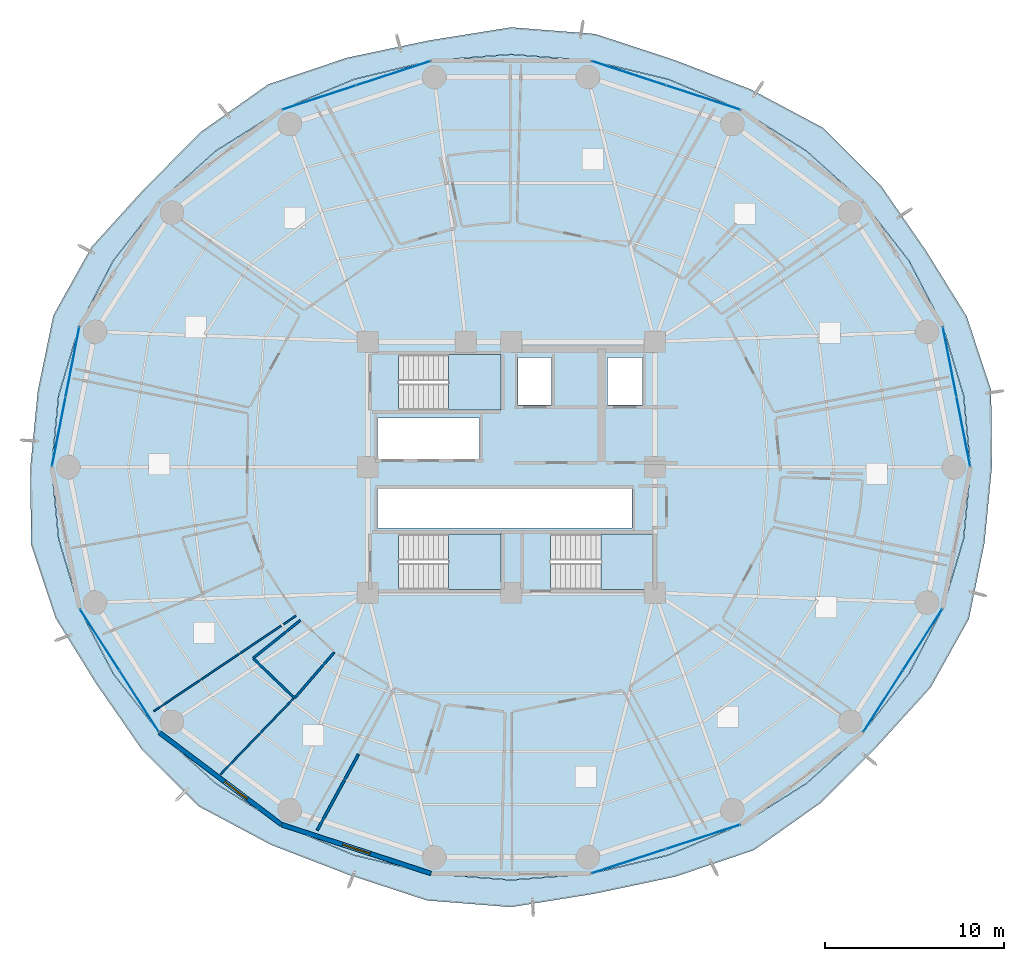
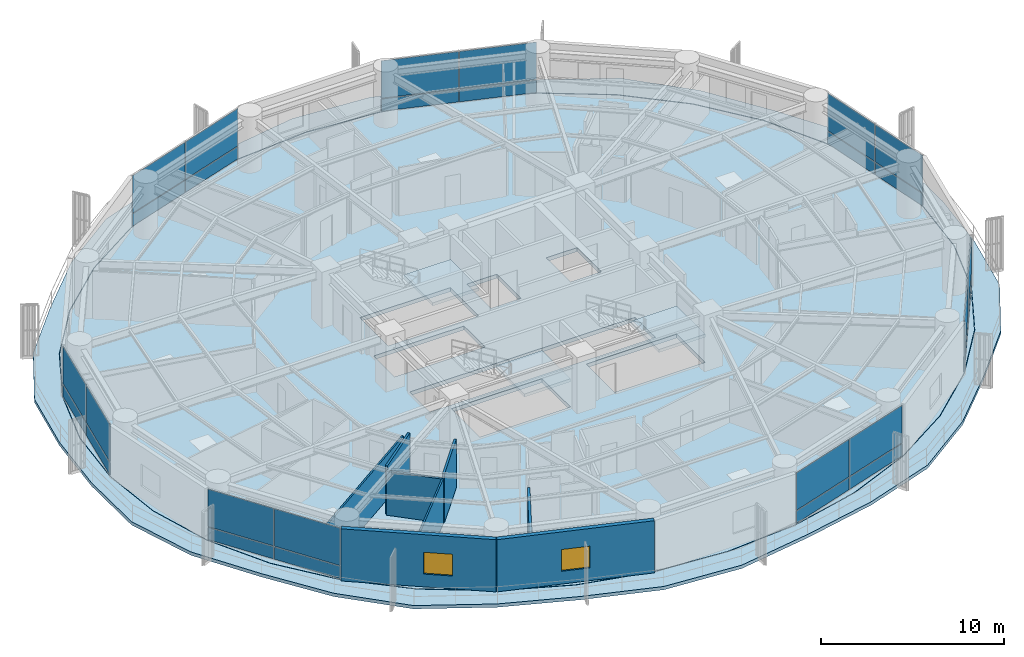
# One storey, part 28 of 35: 28 plates, 8 walls, 5 slabs, 2 windows, 2 openings, 10 elements without a shape of their own.
"""IFC4 building model written with IfcOpenShell, lengths in metres."""

from ifc_helpers import new_model, si_unit, direction, frame, frame_2d, origin, origin_2d, place, context, subcontext, project, spatial, polyline, rectangle, outline, extrude, source, transform, mapped, material, layer, layer_set, type_object, element, fill, aggregate, save


model = new_model("IFC4")

# Units and contexts
model_context = context("Model", 3, precision=1e-05, world=origin(), true_north=direction((0.0, 1.0)))
body_context = subcontext(model_context, "Body", "Model", "MODEL_VIEW")
ifc_project = project(units=[si_unit("LENGTHUNIT", "METRE"), si_unit("AREAUNIT", "SQUARE_METRE"), si_unit("VOLUMEUNIT", "CUBIC_METRE"), si_unit("PLANEANGLEUNIT", "RADIAN"), si_unit("MASSUNIT", "GRAM", prefix="KILO")], contexts=[model_context])

# Site, building, storey
site_placement = place(None, origin())
site = spatial("IfcSite", under=ifc_project, at=site_placement, CompositionType="ELEMENT")
building_placement = place(site_placement, origin())
building = spatial("IfcBuilding", under=site, at=building_placement, Name="Kelanora Arch Commons", CompositionType="ELEMENT")
storey_placement = place(building_placement, frame((0.0, 0.0, 117.60009765625)))
storey = spatial("IfcBuildingStorey", under=building, at=storey_placement, Name="L30", CompositionType="ELEMENT", Elevation=117.60009765625)

# Stair, slab
ifc_material_1 = material(Name="Concrete C40/50", Category="concrete")
stair_type = type_object("IfcStairType", Name="STR-DL-375", PredefinedType="HALF_TURN_STAIR", material=ifc_material_1)
stair_1_placement = place(storey_placement, origin())
stair_1 = element("IfcStair", 1, at=stair_1_placement, inside=storey, type_object=stair_type, Name="L30 ST-T1", PredefinedType="HALF_TURN_STAIR")
ifc_layer_1 = layer(ifc_material_1, 0.199951171875)
ifc_layer_set_1 = layer_set([ifc_layer_1], Name="Concrete C40/50")
slab_type_1 = type_object("IfcSlabType", Name="SLB-STAIR-LND", PredefinedType="LANDING", material=ifc_layer_set_1)
slab_1_placement = place(storey_placement, frame((0.0, 0.0, 1.6748046875)))
slab_1 = element("IfcSlab", 2, at=slab_1_placement, type_object=slab_type_1, Name="ST-T1 landing 1", PredefinedType="LANDING", context=body_context, shape_type="SweptSolid", body=[
    extrude(outline(polyline([(70.52001953125, 61.179931640625), (73.43994140625, 61.179931640625), (73.43994140625, 64.2900390625), (70.52001953125, 64.2900390625), (70.52001953125, 61.179931640625)])), origin(), (0.0, 0.0, 1.0), 0.2001953125),
])
aggregate(stair_1, [slab_1])

stair_2_placement = place(storey_placement, origin())
stair_2 = element("IfcStair", 3, at=stair_2_placement, inside=storey, type_object=stair_type, Name="L30 ST-T2", PredefinedType="HALF_TURN_STAIR")
slab_2_placement = place(storey_placement, frame((0.0, 0.0, 1.6748046875)))
slab_2 = element("IfcSlab", 4, at=slab_2_placement, type_object=slab_type_1, Name="ST-T2 landing 1", PredefinedType="LANDING", context=body_context, shape_type="SweptSolid", body=[
    extrude(outline(polyline([(79.0, 51.179931640625), (81.919921875, 51.179931640625), (81.919921875, 54.2900390625), (79.0, 54.2900390625), (79.0, 51.179931640625)])), origin(), (0.0, 0.0, 1.0), 0.2001953125),
])
aggregate(stair_2, [slab_2])

stair_3_placement = place(storey_placement, origin())
stair_3 = element("IfcStair", 5, at=stair_3_placement, inside=storey, type_object=stair_type, Name="L30 ST-T3", PredefinedType="HALF_TURN_STAIR")
slab_3_placement = place(storey_placement, frame((0.0, 0.0, 1.6748046875)))
slab_3 = element("IfcSlab", 6, at=slab_3_placement, type_object=slab_type_1, Name="ST-T3 landing 1", PredefinedType="LANDING", context=body_context, shape_type="SweptSolid", body=[
    extrude(outline(polyline([(70.52001953125, 51.179931640625), (73.43994140625, 51.179931640625), (73.43994140625, 54.2900390625), (70.52001953125, 54.2900390625), (70.52001953125, 51.179931640625)])), origin(), (0.0, 0.0, 1.0), 0.2001953125),
])
aggregate(stair_3, [slab_3])

# Slabs
ifc_layer_2 = layer(ifc_material_1, 0.260009765625)
ifc_layer_set_2 = layer_set([ifc_layer_2], Name="Concrete C40/50")
slab_type_2 = type_object("IfcSlabType", Name="SLB-TWR-TYP", PredefinedType="FLOOR", material=ifc_layer_set_2)
slab_4_placement = place(storey_placement, frame((0.0, 0.0, -0.260009765625)))
element("IfcSlab", 7, at=slab_4_placement, inside=storey, type_object=slab_type_2, Name="Tower Floor Slab L30", PredefinedType="FLOOR", context=body_context, shape_type="SweptSolid", body=[
    extrude(outline(polyline([(99.60009765625, 58.0), (99.211181640625, 61.993896484375), (98.05615234375, 65.866455078125), (96.17041015625, 69.5), (93.610595703125, 72.7841796875), (90.455322265625, 75.618896484375), (86.800048828125, 77.918701171875), (82.755615234375, 79.61279296875), (78.4453125, 80.650634765625), (74.0, 81.0), (69.5546875, 80.650634765625), (65.244384765625, 79.61279296875), (61.199951171875, 77.918701171875), (57.544677734375, 75.618896484375), (54.389404296875, 72.7841796875), (51.82958984375, 69.5), (49.94384765625, 65.866455078125), (48.788818359375, 61.993896484375), (48.39990234375, 58.0), (48.788818359375, 54.006103515625), (49.94384765625, 50.133544921875), (51.82958984375, 46.5), (54.389404296875, 43.2158203125), (57.544677734375, 40.381103515625), (61.199951171875, 38.081298828125), (65.244384765625, 36.38720703125), (69.5546875, 35.349365234375), (74.0, 35.0), (78.4453125, 35.349365234375), (82.755615234375, 36.38720703125), (86.800048828125, 38.081298828125), (90.455322265625, 40.381103515625), (93.610595703125, 43.2158203125), (96.17041015625, 46.5), (98.05615234375, 50.133544921875), (99.211181640625, 54.006103515625), (99.60009765625, 58.0)]), holes=[polyline([(73.431884765625, 51.18798828125), (67.72802734375, 51.18798828125), (67.72802734375, 54.281982421875), (73.431884765625, 54.281982421875), (73.431884765625, 51.18798828125)]), polyline([(76.2080078125, 51.18798828125), (76.2080078125, 54.281982421875), (81.912109375, 54.281982421875), (81.912109375, 51.18798828125), (76.2080078125, 51.18798828125)]), polyline([(66.550048828125, 54.60009765625), (66.550048828125, 56.800048828125), (80.75, 56.800048828125), (80.75, 54.60009765625), (66.550048828125, 54.60009765625)]), polyline([(66.550048828125, 58.449951171875), (66.550048828125, 60.75), (72.25, 60.75), (72.25, 58.449951171875), (66.550048828125, 58.449951171875)]), polyline([(67.72802734375, 61.18798828125), (67.72802734375, 64.281982421875), (73.431884765625, 64.281982421875), (73.431884765625, 61.18798828125), (67.72802734375, 61.18798828125)]), polyline([(74.3798828125, 61.47998046875), (74.3798828125, 64.1201171875), (76.260009765625, 64.1201171875), (76.260009765625, 61.47998046875), (74.3798828125, 61.47998046875)]), polyline([(79.3798828125, 61.47998046875), (79.3798828125, 64.1201171875), (81.320068359375, 64.1201171875), (81.320068359375, 61.47998046875), (79.3798828125, 61.47998046875)])]), origin(), (0.0, 0.0, 1.0), 0.260009765625),
])
ifc_layer_3 = layer(ifc_material_1, 0.219970703125)
ifc_layer_set_3 = layer_set([ifc_layer_3], Name="Concrete C40/50")
slab_type_3 = type_object("IfcSlabType", Name="SLB-WAVE-BAL", PredefinedType="FLOOR", material=ifc_layer_set_3)
slab_5_placement = place(storey_placement, frame((0.0, 0.0, -0.22021484375)))
element("IfcSlab", 8, at=slab_5_placement, inside=storey, type_object=slab_type_3, Name="Sinusoidal Wave Balcony Slab L30", PredefinedType="FLOOR", context=body_context, shape_type="SweptSolid", body=[
    extrude(outline(polyline([(100.79541015625, 58.0), (100.75439453125, 62.296875), (99.392333984375, 66.40771484375), (97.10400390625, 70.10009765625), (94.601806640625, 73.709716796875), (91.419921875, 76.8984375), (87.385009765625, 79.04638671875), (83.10986328125, 80.696044921875), (78.6826171875, 82.148681640625), (74.0, 82.516845703125), (69.376220703125, 81.776123046875), (64.849365234375, 80.820556640625), (60.462158203125, 79.341064453125), (56.728271484375, 76.701904296875), (53.578125, 73.541748046875), (50.616943359375, 70.279296875), (48.486328125, 66.45703125), (47.61572265625, 62.22412109375), (47.20458984375, 58.0), (47.24560546875, 53.703125), (48.607666015625, 49.59228515625), (50.89599609375, 45.89990234375), (53.398193359375, 42.290283203125), (56.580078125, 39.1015625), (60.614990234375, 36.95361328125), (64.89013671875, 35.303955078125), (69.3173828125, 33.851318359375), (74.0, 33.483154296875), (78.623779296875, 34.223876953125), (83.150634765625, 35.179443359375), (87.537841796875, 36.658935546875), (91.271728515625, 39.298095703125), (94.421875, 42.458251953125), (97.383056640625, 45.720703125), (99.513671875, 49.54296875), (100.38427734375, 53.77587890625), (100.79541015625, 58.0)]), holes=[polyline([(99.230712890625, 54.002685546875), (98.074951171875, 50.126708984375), (96.1875, 46.489990234375), (93.626220703125, 43.202880859375), (90.46826171875, 40.36572265625), (86.81005859375, 38.064208984375), (82.7626953125, 36.368408203125), (78.448974609375, 35.32958984375), (74.0, 34.97998046875), (69.551025390625, 35.32958984375), (65.2373046875, 36.368408203125), (61.18994140625, 38.064208984375), (57.53173828125, 40.36572265625), (54.373779296875, 43.202880859375), (51.8125, 46.489990234375), (49.925048828125, 50.126708984375), (48.769287109375, 54.002685546875), (48.3798828125, 58.0), (48.769287109375, 61.997314453125), (49.925048828125, 65.873291015625), (51.8125, 69.510009765625), (54.373779296875, 72.797119140625), (57.53173828125, 75.63427734375), (61.18994140625, 77.935791015625), (65.2373046875, 79.631591796875), (69.551025390625, 80.67041015625), (74.0, 81.02001953125), (78.448974609375, 80.67041015625), (82.7626953125, 79.631591796875), (86.81005859375, 77.935791015625), (90.46826171875, 75.63427734375), (93.626220703125, 72.797119140625), (96.1875, 69.510009765625), (98.074951171875, 65.873291015625), (99.230712890625, 61.997314453125), (99.6201171875, 58.0), (99.230712890625, 54.002685546875)])]), origin(), (0.0, 0.0, 1.0), 0.22021484375),
])

# Curtain wall, plates
ifc_material_2 = material(Name="Terracotta ceramic-fritted low-E glass and aluminium", Category="masonry")
ifc_layer_4 = layer(ifc_material_2, 0.159912109375)
ifc_layer_set_4 = layer_set([ifc_layer_4], Name="Terracotta ceramic-fritted low-E glass and aluminium")
curtain_wall_type = type_object("IfcCurtainWallType", Name="CW-SYS-01", PredefinedType="NOTDEFINED", material=ifc_layer_set_4)
curtain_wall_1_placement = place(storey_placement, origin())
curtain_wall_1 = element("IfcCurtainWall", 9, at=curtain_wall_1_placement, inside=storey, type_object=curtain_wall_type, Name="Unitised Curtain Wall L30-B00", PredefinedType="NOTDEFINED")
ifc_material_3 = material(Name="Terracotta ceramic-fritted double glazing", Category="masonry")
ifc_layer_5 = layer(ifc_material_3, 0.028076171875)
ifc_layer_set_5 = layer_set([ifc_layer_5], Name="Terracotta ceramic-fritted double glazing")
plate_type = type_object("IfcPlateType", Name="CWP-FRIT", PredefinedType="CURTAIN_PANEL", material=ifc_layer_set_5)
shared_shape_1 = source(origin(), body_context, "Body", "SweptSolid", [
    extrude(rectangle(XDim=3.9033203125, YDim=0.028076171875, at=origin_2d()), origin(), (0.0, 0.0, 1.0), 0.81005859375),
])
plate_1_placement = place(storey_placement, frame((99.209716796875, 59.98876953125, 0.059814453125), z_axis=(0.0, 0.0, 1.0), x_axis=(-0.192584916272, 0.981280311646, 0.0)))
plate_1 = element("IfcPlate", 10, at=plate_1_placement, type_object=plate_type, Name="CW-01 panel 1.1", PredefinedType="CURTAIN_PANEL", context=body_context, shape_type="MappedRepresentation", body=[
    mapped(shared_shape_1, transform((0.0, 0.0, 0.0), scale=1.0)),
])
plate_2_placement = place(storey_placement, frame((98.446533203125, 63.877685546875, 0.059814453125), z_axis=(0.0, 0.0, 1.0), x_axis=(-0.192584916272, 0.981280311646, 0.0)))
plate_2 = element("IfcPlate", 11, at=plate_2_placement, type_object=plate_type, Name="CW-01 panel 2.1", PredefinedType="CURTAIN_PANEL", context=body_context, shape_type="MappedRepresentation", body=[
    mapped(shared_shape_1, transform((0.0, 0.0, 0.0), scale=1.0)),
])

curtain_wall_2_placement = place(storey_placement, origin())
curtain_wall_2 = element("IfcCurtainWall", 12, at=curtain_wall_2_placement, inside=storey, type_object=curtain_wall_type, Name="Unitised Curtain Wall L30-B08", PredefinedType="NOTDEFINED")
plate_3_placement = place(storey_placement, frame((49.553466796875, 63.877685546875, 0.059814453125), z_axis=(0.0, 0.0, 1.0), x_axis=(-0.192584916272, -0.981280311646, 0.0)))
plate_3 = element("IfcPlate", 13, at=plate_3_placement, type_object=plate_type, Name="CW-01 panel 1.1", PredefinedType="CURTAIN_PANEL", context=body_context, shape_type="MappedRepresentation", body=[
    mapped(shared_shape_1, transform((0.0, 0.0, 0.0), scale=1.0)),
])
plate_4_placement = place(storey_placement, frame((48.790283203125, 59.98876953125, 0.059814453125), z_axis=(0.0, 0.0, 1.0), x_axis=(-0.192584916272, -0.981280311646, 0.0)))
plate_4 = element("IfcPlate", 14, at=plate_4_placement, type_object=plate_type, Name="CW-01 panel 2.1", PredefinedType="CURTAIN_PANEL", context=body_context, shape_type="MappedRepresentation", body=[
    mapped(shared_shape_1, transform((0.0, 0.0, 0.0), scale=1.0)),
])

# Plate
shared_shape_2 = source(origin(), body_context, "Body", "SweptSolid", [
    extrude(rectangle(XDim=3.9033203125, YDim=0.028076171875, at=origin_2d()), origin(), (0.0, 0.0, 1.0), 2.485107421875),
])
plate_5_placement = place(storey_placement, frame((99.209716796875, 59.98876953125, 0.9296875), z_axis=(0.0, 0.0, 1.0), x_axis=(-0.192584916272, 0.981280311646, 0.0)))
plate_5 = element("IfcPlate", 15, at=plate_5_placement, type_object=plate_type, Name="CW-01 panel 1.2", PredefinedType="CURTAIN_PANEL", context=body_context, shape_type="MappedRepresentation", body=[
    mapped(shared_shape_2, transform((0.0, 0.0, 0.0), scale=1.0)),
])

plate_6_placement = place(storey_placement, frame((98.446533203125, 63.877685546875, 0.9296875), z_axis=(0.0, 0.0, 1.0), x_axis=(-0.192584916272, 0.981280311646, 0.0)))
plate_6 = element("IfcPlate", 16, at=plate_6_placement, type_object=plate_type, Name="CW-01 panel 2.2", PredefinedType="CURTAIN_PANEL", context=body_context, shape_type="MappedRepresentation", body=[
    mapped(shared_shape_2, transform((0.0, 0.0, 0.0), scale=1.0)),
])

aggregate(curtain_wall_1, [plate_1, plate_5, plate_2, plate_6])

plate_7_placement = place(storey_placement, frame((49.553466796875, 63.877685546875, 0.9296875), z_axis=(0.0, 0.0, 1.0), x_axis=(-0.192584916272, -0.981280311646, 0.0)))
plate_7 = element("IfcPlate", 17, at=plate_7_placement, type_object=plate_type, Name="CW-01 panel 1.2", PredefinedType="CURTAIN_PANEL", context=body_context, shape_type="MappedRepresentation", body=[
    mapped(shared_shape_2, transform((0.0, 0.0, 0.0), scale=1.0)),
])

plate_8_placement = place(storey_placement, frame((48.790283203125, 59.98876953125, 0.9296875), z_axis=(0.0, 0.0, 1.0), x_axis=(-0.192584916272, -0.981280311646, 0.0)))
plate_8 = element("IfcPlate", 18, at=plate_8_placement, type_object=plate_type, Name="CW-01 panel 2.2", PredefinedType="CURTAIN_PANEL", context=body_context, shape_type="MappedRepresentation", body=[
    mapped(shared_shape_2, transform((0.0, 0.0, 0.0), scale=1.0)),
])

aggregate(curtain_wall_2, [plate_3, plate_7, plate_4, plate_8])

# Curtain wall, plates
curtain_wall_3_placement = place(storey_placement, origin())
curtain_wall_3 = element("IfcCurtainWall", 19, at=curtain_wall_3_placement, inside=storey, type_object=curtain_wall_type, Name="Unitised Curtain Wall L30-B03", PredefinedType="NOTDEFINED")
shared_shape_3 = source(origin(), body_context, "Body", "SweptSolid", [
    extrude(rectangle(XDim=4.2900390625, YDim=0.028076171875, at=origin_2d()), origin(), (0.0, 0.0, 1.0), 0.81005859375),
])
plate_9_placement = place(storey_placement, frame((84.68994140625, 78.608642578125, 0.059814453125), z_axis=(0.0, 0.0, 1.0), x_axis=(-0.950473795867, 0.31080470294, 0.0)))
plate_9 = element("IfcPlate", 20, at=plate_9_placement, type_object=plate_type, Name="CW-01 panel 1.1", PredefinedType="CURTAIN_PANEL", context=body_context, shape_type="MappedRepresentation", body=[
    mapped(shared_shape_3, transform((0.0, 0.0, 0.0), scale=1.0)),
])
plate_10_placement = place(storey_placement, frame((80.555419921875, 79.960693359375, 0.059814453125), z_axis=(0.0, 0.0, 1.0), x_axis=(-0.950473795867, 0.31080470294, 0.0)))
plate_10 = element("IfcPlate", 21, at=plate_10_placement, type_object=plate_type, Name="CW-01 panel 2.1", PredefinedType="CURTAIN_PANEL", context=body_context, shape_type="MappedRepresentation", body=[
    mapped(shared_shape_3, transform((0.0, 0.0, 0.0), scale=1.0)),
])

curtain_wall_4_placement = place(storey_placement, origin())
curtain_wall_4 = element("IfcCurtainWall", 22, at=curtain_wall_4_placement, inside=storey, type_object=curtain_wall_type, Name="Unitised Curtain Wall L30-B05", PredefinedType="NOTDEFINED")
plate_11_placement = place(storey_placement, frame((67.444580078125, 79.960693359375, 0.059814453125), z_axis=(0.0, 0.0, 1.0), x_axis=(-0.950473795867, -0.31080470294, 0.0)))
plate_11 = element("IfcPlate", 23, at=plate_11_placement, type_object=plate_type, Name="CW-01 panel 1.1", PredefinedType="CURTAIN_PANEL", context=body_context, shape_type="MappedRepresentation", body=[
    mapped(shared_shape_3, transform((0.0, 0.0, 0.0), scale=1.0)),
])
plate_12_placement = place(storey_placement, frame((63.31005859375, 78.608642578125, 0.059814453125), z_axis=(0.0, 0.0, 1.0), x_axis=(-0.950473795867, -0.31080470294, 0.0)))
plate_12 = element("IfcPlate", 24, at=plate_12_placement, type_object=plate_type, Name="CW-01 panel 2.1", PredefinedType="CURTAIN_PANEL", context=body_context, shape_type="MappedRepresentation", body=[
    mapped(shared_shape_3, transform((0.0, 0.0, 0.0), scale=1.0)),
])

curtain_wall_5_placement = place(storey_placement, origin())
curtain_wall_5 = element("IfcCurtainWall", 25, at=curtain_wall_5_placement, inside=storey, type_object=curtain_wall_type, Name="Unitised Curtain Wall L30-B14", PredefinedType="NOTDEFINED")
plate_13_placement = place(storey_placement, frame((80.555419921875, 36.039306640625, 0.059814453125), z_axis=(0.0, 0.0, 1.0), x_axis=(0.950473795867, 0.31080470294, 0.0)))
plate_13 = element("IfcPlate", 26, at=plate_13_placement, type_object=plate_type, Name="CW-01 panel 1.1", PredefinedType="CURTAIN_PANEL", context=body_context, shape_type="MappedRepresentation", body=[
    mapped(shared_shape_3, transform((0.0, 0.0, 0.0), scale=1.0)),
])
plate_14_placement = place(storey_placement, frame((84.68994140625, 37.391357421875, 0.059814453125), z_axis=(0.0, 0.0, 1.0), x_axis=(0.950473795867, 0.31080470294, 0.0)))
plate_14 = element("IfcPlate", 27, at=plate_14_placement, type_object=plate_type, Name="CW-01 panel 2.1", PredefinedType="CURTAIN_PANEL", context=body_context, shape_type="MappedRepresentation", body=[
    mapped(shared_shape_3, transform((0.0, 0.0, 0.0), scale=1.0)),
])

# Plate
shared_shape_4 = source(origin(), body_context, "Body", "SweptSolid", [
    extrude(rectangle(XDim=4.2900390625, YDim=0.028076171875, at=origin_2d()), origin(), (0.0, 0.0, 1.0), 2.485107421875),
])
plate_15_placement = place(storey_placement, frame((84.68994140625, 78.608642578125, 0.9296875), z_axis=(0.0, 0.0, 1.0), x_axis=(-0.950473795867, 0.31080470294, 0.0)))
plate_15 = element("IfcPlate", 28, at=plate_15_placement, type_object=plate_type, Name="CW-01 panel 1.2", PredefinedType="CURTAIN_PANEL", context=body_context, shape_type="MappedRepresentation", body=[
    mapped(shared_shape_4, transform((0.0, 0.0, 0.0), scale=1.0)),
])

plate_16_placement = place(storey_placement, frame((80.555419921875, 79.960693359375, 0.9296875), z_axis=(0.0, 0.0, 1.0), x_axis=(-0.950473795867, 0.31080470294, 0.0)))
plate_16 = element("IfcPlate", 29, at=plate_16_placement, type_object=plate_type, Name="CW-01 panel 2.2", PredefinedType="CURTAIN_PANEL", context=body_context, shape_type="MappedRepresentation", body=[
    mapped(shared_shape_4, transform((0.0, 0.0, 0.0), scale=1.0)),
])

aggregate(curtain_wall_3, [plate_9, plate_15, plate_10, plate_16])

plate_17_placement = place(storey_placement, frame((67.444580078125, 79.960693359375, 0.9296875), z_axis=(0.0, 0.0, 1.0), x_axis=(-0.950473795867, -0.31080470294, 0.0)))
plate_17 = element("IfcPlate", 30, at=plate_17_placement, type_object=plate_type, Name="CW-01 panel 1.2", PredefinedType="CURTAIN_PANEL", context=body_context, shape_type="MappedRepresentation", body=[
    mapped(shared_shape_4, transform((0.0, 0.0, 0.0), scale=1.0)),
])

plate_18_placement = place(storey_placement, frame((63.31005859375, 78.608642578125, 0.9296875), z_axis=(0.0, 0.0, 1.0), x_axis=(-0.950473795867, -0.31080470294, 0.0)))
plate_18 = element("IfcPlate", 31, at=plate_18_placement, type_object=plate_type, Name="CW-01 panel 2.2", PredefinedType="CURTAIN_PANEL", context=body_context, shape_type="MappedRepresentation", body=[
    mapped(shared_shape_4, transform((0.0, 0.0, 0.0), scale=1.0)),
])

aggregate(curtain_wall_4, [plate_11, plate_17, plate_12, plate_18])

plate_19_placement = place(storey_placement, frame((80.555419921875, 36.039306640625, 0.9296875), z_axis=(0.0, 0.0, 1.0), x_axis=(0.950473795867, 0.31080470294, 0.0)))
plate_19 = element("IfcPlate", 32, at=plate_19_placement, type_object=plate_type, Name="CW-01 panel 1.2", PredefinedType="CURTAIN_PANEL", context=body_context, shape_type="MappedRepresentation", body=[
    mapped(shared_shape_4, transform((0.0, 0.0, 0.0), scale=1.0)),
])

plate_20_placement = place(storey_placement, frame((84.68994140625, 37.391357421875, 0.9296875), z_axis=(0.0, 0.0, 1.0), x_axis=(0.950473795867, 0.31080470294, 0.0)))
plate_20 = element("IfcPlate", 33, at=plate_20_placement, type_object=plate_type, Name="CW-01 panel 2.2", PredefinedType="CURTAIN_PANEL", context=body_context, shape_type="MappedRepresentation", body=[
    mapped(shared_shape_4, transform((0.0, 0.0, 0.0), scale=1.0)),
])

aggregate(curtain_wall_5, [plate_13, plate_19, plate_14, plate_20])

# Curtain wall, plates
curtain_wall_6_placement = place(storey_placement, origin())
curtain_wall_6 = element("IfcCurtainWall", 34, at=curtain_wall_6_placement, inside=storey, type_object=curtain_wall_type, Name="Unitised Curtain Wall L30-B10", PredefinedType="NOTDEFINED")
shared_shape_5 = source(origin(), body_context, "Body", "SweptSolid", [
    extrude(rectangle(XDim=4.00634765625, YDim=0.028076171875, at=origin_2d()), origin(), (0.0, 0.0, 1.0), 0.81005859375),
])
plate_21_placement = place(storey_placement, frame((51.0673828125, 48.38525390625, 0.059814453125), z_axis=(0.0, 0.0, 1.0), x_axis=(0.540616931244, -0.841268883088, 0.0)))
plate_21 = element("IfcPlate", 35, at=plate_21_placement, type_object=plate_type, Name="CW-01 panel 1.1", PredefinedType="CURTAIN_PANEL", context=body_context, shape_type="MappedRepresentation", body=[
    mapped(shared_shape_5, transform((0.0, 0.0, 0.0), scale=1.0)),
])
plate_22_placement = place(storey_placement, frame((53.265869140625, 44.964111328125, 0.059814453125), z_axis=(0.0, 0.0, 1.0), x_axis=(0.540616931244, -0.841268883088, 0.0)))
plate_22 = element("IfcPlate", 36, at=plate_22_placement, type_object=plate_type, Name="CW-01 panel 2.1", PredefinedType="CURTAIN_PANEL", context=body_context, shape_type="MappedRepresentation", body=[
    mapped(shared_shape_5, transform((0.0, 0.0, 0.0), scale=1.0)),
])

curtain_wall_7_placement = place(storey_placement, origin())
curtain_wall_7 = element("IfcCurtainWall", 37, at=curtain_wall_7_placement, inside=storey, type_object=curtain_wall_type, Name="Unitised Curtain Wall L30-B16", PredefinedType="NOTDEFINED")
plate_23_placement = place(storey_placement, frame((94.734130859375, 44.964111328125, 0.059814453125), z_axis=(0.0, 0.0, 1.0), x_axis=(0.540616931244, 0.841268883088, 0.0)))
plate_23 = element("IfcPlate", 38, at=plate_23_placement, type_object=plate_type, Name="CW-01 panel 1.1", PredefinedType="CURTAIN_PANEL", context=body_context, shape_type="MappedRepresentation", body=[
    mapped(shared_shape_5, transform((0.0, 0.0, 0.0), scale=1.0)),
])
plate_24_placement = place(storey_placement, frame((96.9326171875, 48.38525390625, 0.059814453125), z_axis=(0.0, 0.0, 1.0), x_axis=(0.540616931244, 0.841268883088, 0.0)))
plate_24 = element("IfcPlate", 39, at=plate_24_placement, type_object=plate_type, Name="CW-01 panel 2.1", PredefinedType="CURTAIN_PANEL", context=body_context, shape_type="MappedRepresentation", body=[
    mapped(shared_shape_5, transform((0.0, 0.0, 0.0), scale=1.0)),
])

# Plate
shared_shape_6 = source(origin(), body_context, "Body", "SweptSolid", [
    extrude(rectangle(XDim=4.00634765625, YDim=0.028076171875, at=origin_2d()), origin(), (0.0, 0.0, 1.0), 2.485107421875),
])
plate_25_placement = place(storey_placement, frame((51.0673828125, 48.38525390625, 0.9296875), z_axis=(0.0, 0.0, 1.0), x_axis=(0.540616931244, -0.841268883088, 0.0)))
plate_25 = element("IfcPlate", 40, at=plate_25_placement, type_object=plate_type, Name="CW-01 panel 1.2", PredefinedType="CURTAIN_PANEL", context=body_context, shape_type="MappedRepresentation", body=[
    mapped(shared_shape_6, transform((0.0, 0.0, 0.0), scale=1.0)),
])

plate_26_placement = place(storey_placement, frame((53.265869140625, 44.964111328125, 0.9296875), z_axis=(0.0, 0.0, 1.0), x_axis=(0.540616931244, -0.841268883088, 0.0)))
plate_26 = element("IfcPlate", 41, at=plate_26_placement, type_object=plate_type, Name="CW-01 panel 2.2", PredefinedType="CURTAIN_PANEL", context=body_context, shape_type="MappedRepresentation", body=[
    mapped(shared_shape_6, transform((0.0, 0.0, 0.0), scale=1.0)),
])

aggregate(curtain_wall_6, [plate_21, plate_25, plate_22, plate_26])

plate_27_placement = place(storey_placement, frame((94.734130859375, 44.964111328125, 0.9296875), z_axis=(0.0, 0.0, 1.0), x_axis=(0.540616931244, 0.841268883088, 0.0)))
plate_27 = element("IfcPlate", 42, at=plate_27_placement, type_object=plate_type, Name="CW-01 panel 1.2", PredefinedType="CURTAIN_PANEL", context=body_context, shape_type="MappedRepresentation", body=[
    mapped(shared_shape_6, transform((0.0, 0.0, 0.0), scale=1.0)),
])

plate_28_placement = place(storey_placement, frame((96.9326171875, 48.38525390625, 0.9296875), z_axis=(0.0, 0.0, 1.0), x_axis=(0.540616931244, 0.841268883088, 0.0)))
plate_28 = element("IfcPlate", 43, at=plate_28_placement, type_object=plate_type, Name="CW-01 panel 2.2", PredefinedType="CURTAIN_PANEL", context=body_context, shape_type="MappedRepresentation", body=[
    mapped(shared_shape_6, transform((0.0, 0.0, 0.0), scale=1.0)),
])

aggregate(curtain_wall_7, [plate_23, plate_27, plate_24, plate_28])

# Wall
ifc_material_4 = material(Name="Autoclaved aerated concrete blockwork with fire plaster", Category="masonry")
ifc_layer_6 = layer(ifc_material_4, 0.14990234375)
ifc_layer_set_6 = layer_set([ifc_layer_6], Name="Autoclaved aerated concrete blockwork with fire plaster")
wall_type_1 = type_object("IfcWallType", Name="W-COMP-150", PredefinedType="PARTITIONING", material=ifc_layer_set_6)
wall_1_placement = place(storey_placement, frame((63.18798828125, 37.759033203125, 0.0), z_axis=(0.0, 0.0, 1.0), x_axis=(0.477678819353, 0.878534544307, 0.0)))
element("IfcWall", 44, at=wall_1_placement, inside=storey, type_object=wall_type_1, Name="Co-Living Studio L30-09 Enclosure Partition 5", PredefinedType="PARTITIONING", context=body_context, shape_type="SweptSolid", body=[
    extrude(rectangle(XDim=4.827392578125, YDim=0.14990234375, at=frame_2d((2.41357421875, 0.0))), origin(), (0.0, 0.0, 1.0), 2.974853515625),
])

# Wall, opening, window
ifc_material_5 = material(Name="Precast concrete C40/50 with terracotta rainscreen", Category="masonry")
ifc_layer_7 = layer(ifc_material_5, 0.260009765625)
ifc_layer_set_7 = layer_set([ifc_layer_7], Name="Precast concrete C40/50 with terracotta rainscreen")
wall_type_2 = type_object("IfcWallType", Name="W-EXT-TC", PredefinedType="SOLIDWALL", material=ifc_layer_set_7)
wall_2_placement = place(storey_placement, frame((54.4013671875, 43.206787109375, 0.0), z_axis=(0.0, 0.0, 1.0), x_axis=(0.798501507879, -0.601992808857, 0.0)))
wall_2 = element("IfcWall", 45, at=wall_2_placement, inside=storey, type_object=wall_type_2, Name="Terracotta Exterior Wall L30-B11", PredefinedType="SOLIDWALL", context=body_context, shape_type="SweptSolid", body=[
    extrude(rectangle(XDim=8.499267578125, YDim=0.260009765625, at=frame_2d((4.24951171875, 0.0))), origin(), (0.0, 0.0, 1.0), 3.474853515625),
])
opening_1_placement = place(wall_2_placement, frame((4.530029296875, 0.0, 0.85009765625)))
opening_1 = element("IfcOpeningElement", 46, at=opening_1_placement, cuts=wall_2, Name="Opening WN-01", PredefinedType="OPENING", context=body_context, shape_type="SweptSolid", body=[
    extrude(rectangle(XDim=1.60009765625, YDim=1.449951171875, at=frame_2d((0.800048828125, 0.72509765625))), frame((0.0, 0.14013671875, 0.0), z_axis=(0.0, -1.0, 0.0), x_axis=(1.0, 0.0, 0.0)), (0.0, 0.0, 1.0), 0.280029296875),
])
ifc_material_6 = material(Name="Terracotta-anodised aluminium frame with operable low-E glazing", Category="masonry")
window_type = type_object("IfcWindowType", Name="WIN-CL-18", PartitioningType="DOUBLE_PANEL_VERTICAL", PredefinedType="WINDOW", material=ifc_material_6)
window_1_placement = place(opening_1_placement, origin())
window_1 = element("IfcWindow", 47, at=window_1_placement, inside=storey, type_object=window_type, Name="Co-Living Operable Window L30-B11", OverallHeight=1.449951171875, OverallWidth=1.60009765625, PartitioningType="SINGLE_PANEL", PredefinedType="WINDOW", context=body_context, shape_type="SweptSolid", body=[
    extrude(rectangle(XDim=1.60009765625, YDim=1.449951171875, at=frame_2d((0.800048828125, 0.72509765625))), frame((0.0, 0.030029296875, 0.0), z_axis=(0.0, -1.0, 0.0), x_axis=(1.0, 0.0, 0.0)), (0.0, 0.0, 1.0), 0.06005859375),
])
fill(opening_1, window_1)

wall_3_placement = place(storey_placement, frame((61.21435546875, 38.07666015625, 0.0), z_axis=(0.0, 0.0, 1.0), x_axis=(0.950471101963, -0.310812941064, 0.0)))
wall_3 = element("IfcWall", 48, at=wall_3_placement, inside=storey, type_object=wall_type_2, Name="Terracotta Exterior Wall L30-B12", PredefinedType="SOLIDWALL", context=body_context, shape_type="SweptSolid", body=[
    extrude(rectangle(XDim=8.759765625, YDim=0.260009765625, at=frame_2d((4.3798828125, 0.0))), origin(), (0.0, 0.0, 1.0), 3.474853515625),
])
opening_2_placement = place(wall_3_placement, frame((3.580078125, 0.0, 0.85009765625)))
opening_2 = element("IfcOpeningElement", 49, at=opening_2_placement, cuts=wall_3, Name="Opening WN-01", PredefinedType="OPENING", context=body_context, shape_type="SweptSolid", body=[
    extrude(rectangle(XDim=1.60009765625, YDim=1.449951171875, at=frame_2d((0.800048828125, 0.72509765625))), frame((0.0, 0.14013671875, 0.0), z_axis=(0.0, -1.0, 0.0), x_axis=(1.0, 0.0, 0.0)), (0.0, 0.0, 1.0), 0.280029296875),
])
window_2_placement = place(opening_2_placement, origin())
window_2 = element("IfcWindow", 50, at=window_2_placement, inside=storey, type_object=window_type, Name="Co-Living Operable Window L30-B12", OverallHeight=1.449951171875, OverallWidth=1.60009765625, PartitioningType="SINGLE_PANEL", PredefinedType="WINDOW", context=body_context, shape_type="SweptSolid", body=[
    extrude(rectangle(XDim=1.60009765625, YDim=1.449951171875, at=frame_2d((0.800048828125, 0.72509765625))), frame((0.0, 0.030029296875, 0.0), z_axis=(0.0, -1.0, 0.0), x_axis=(1.0, 0.0, 0.0)), (0.0, 0.0, 1.0), 0.06005859375),
])
fill(opening_2, window_2)

# Walls
ifc_material_7 = material(Name="Lightweight fire-rated acoustic stud partition")
ifc_layer_8 = layer(ifc_material_7, 0.10009765625)
ifc_layer_set_8 = layer_set([ifc_layer_8], Name="Lightweight fire-rated acoustic stud partition")
wall_type_3 = type_object("IfcWallType", Name="W-PART-100", PredefinedType="PARTITIONING", material=ifc_layer_set_8)
wall_4_placement = place(storey_placement, frame((62.0107421875, 49.7177734375, 0.0), z_axis=(0.0, 0.0, 1.0), x_axis=(-0.830433607217, -0.557117603388, 0.0)))
element("IfcWall", 51, at=wall_4_placement, inside=storey, type_object=wall_type_3, Name="Quiet Reading Carrel L30-07 Enclosure Partition 2", PredefinedType="PARTITIONING", context=body_context, shape_type="SweptSolid", body=[
    extrude(rectangle(XDim=9.546142578125, YDim=0.10009765625, at=frame_2d((4.77294921875, 0.0))), origin(), (0.0, 0.0, 1.0), 2.974853515625),
])
wall_5_placement = place(storey_placement, frame((57.8056640625, 40.884765625, 0.0), z_axis=(0.0, 0.0, 1.0), x_axis=(0.693697879067, 0.720266098451, 0.0)))
element("IfcWall", 52, at=wall_5_placement, inside=storey, type_object=wall_type_3, Name="Tutorial Study Alcove L30-08 Enclosure Partition 4", PredefinedType="PARTITIONING", context=body_context, shape_type="SweptSolid", body=[
    extrude(rectangle(XDim=5.84423828125, YDim=0.10009765625, at=frame_2d((2.922119140625, 0.0))), origin(), (0.0, 0.0, 1.0), 2.974853515625),
])
ifc_material_8 = material(Name="Moisture-resistant fire-rated cement-board plumbing wall")
ifc_layer_9 = layer(ifc_material_8, 0.1298828125)
ifc_layer_set_9 = layer_set([ifc_layer_9], Name="Moisture-resistant fire-rated cement-board plumbing wall")
wall_type_4 = type_object("IfcWallType", Name="W-WET-120", PredefinedType="PLUMBINGWALL", material=ifc_layer_set_9)
wall_6_placement = place(storey_placement, frame((64.14599609375, 47.682861328125, 0.0), z_axis=(0.0, 0.0, 1.0), x_axis=(-0.654725816563, -0.75586645985, 0.0)))
element("IfcWall", 53, at=wall_6_placement, inside=storey, type_object=wall_type_4, Name="Accessible Shared Floor WC L30-08 Enclosure Partition 2", PredefinedType="PLUMBINGWALL", context=body_context, shape_type="SweptSolid", body=[
    extrude(rectangle(XDim=3.360107421875, YDim=0.1298828125, at=frame_2d((1.68017578125, 0.0))), origin(), (0.0, 0.0, 1.0), 3.23486328125),
])
wall_7_placement = place(storey_placement, frame((61.918701171875, 45.141845703125, 0.0), z_axis=(0.0, 0.0, 1.0), x_axis=(-0.721319622767, 0.692602340316, 0.0)))
element("IfcWall", 54, at=wall_7_placement, inside=storey, type_object=wall_type_4, Name="Accessible Shared Floor WC L30-08 Enclosure Partition 3", PredefinedType="PLUMBINGWALL", context=body_context, shape_type="SweptSolid", body=[
    extrude(rectangle(XDim=3.171142578125, YDim=0.1298828125, at=frame_2d((1.58544921875, 0.0))), origin(), (0.0, 0.0, 1.0), 2.9248046875),
])
wall_8_placement = place(storey_placement, frame((59.632568359375, 47.364501953125, 0.0), z_axis=(0.0, 0.0, 1.0), x_axis=(0.780343931947, 0.625350579974, 0.0)))
element("IfcWall", 55, at=wall_8_placement, inside=storey, type_object=wall_type_4, Name="Accessible Shared Floor WC L30-08 Enclosure Partition 4", PredefinedType="PLUMBINGWALL", context=body_context, shape_type="SweptSolid", body=[
    extrude(rectangle(XDim=3.35986328125, YDim=0.1298828125, at=frame_2d((1.679931640625, 0.0))), origin(), (0.0, 0.0, 1.0), 3.23486328125),
])

save(model, "model.ifc")
